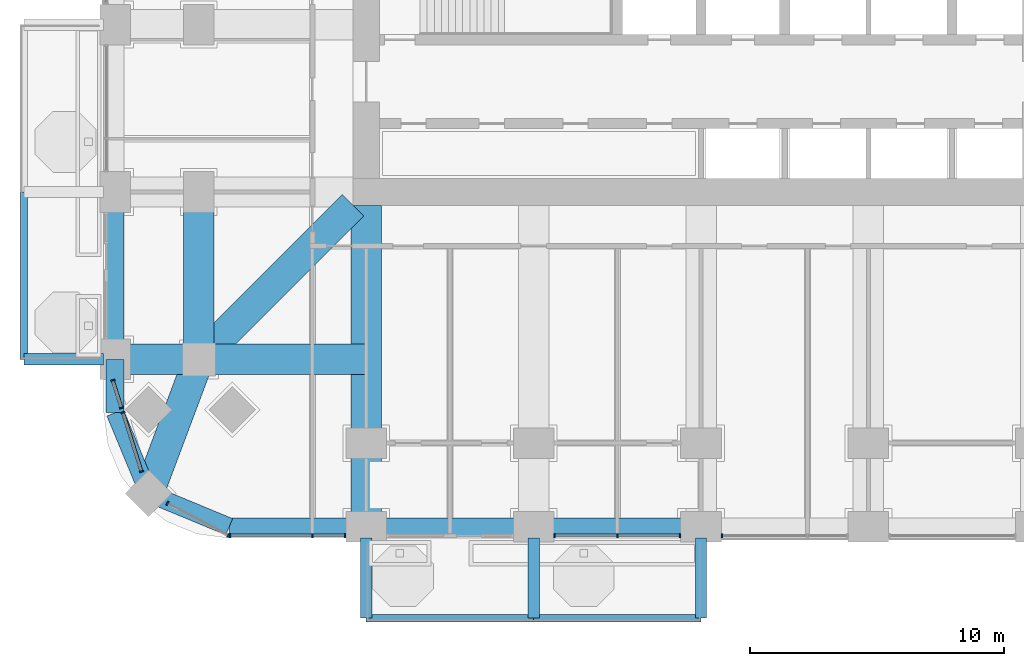
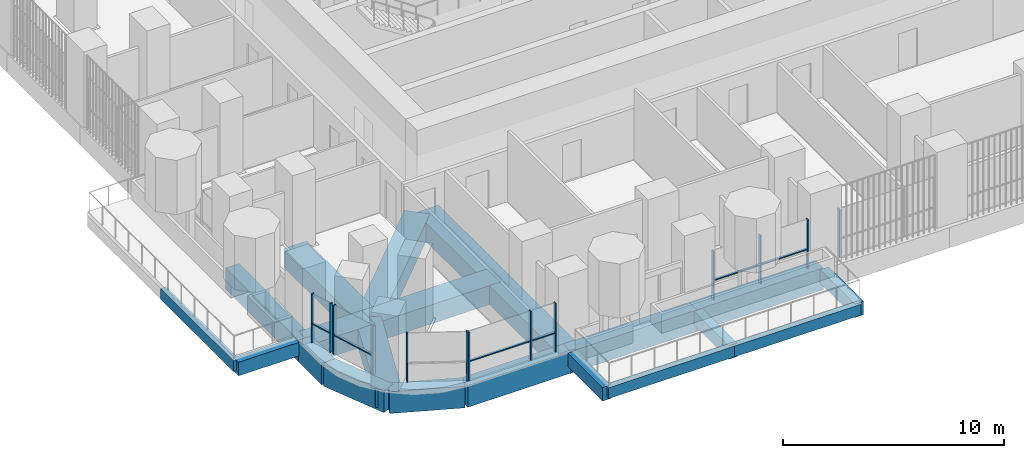
# One storey, part 2 of 21: 20 beams, 19 members, 6 elements without a shape of their own.
"""IFC4 building model written with IfcOpenShell, lengths in metres."""

from ifc_helpers import new_model, si_unit, direction, frame, origin, origin_2d, place, context, subcontext, project, spatial, rectangle, extrude, material, material_profile, profile_set, type_object, element, aggregate, save


model = new_model("IFC4")

# Units and contexts
model_context = context("Model", 3, precision=1e-05, world=origin(), true_north=direction((0.0, 1.0)))
body_context = subcontext(model_context, "Body", "Model", "MODEL_VIEW")
ifc_project = project(units=[si_unit("LENGTHUNIT", "METRE"), si_unit("AREAUNIT", "SQUARE_METRE"), si_unit("VOLUMEUNIT", "CUBIC_METRE"), si_unit("PLANEANGLEUNIT", "RADIAN"), si_unit("MASSUNIT", "GRAM", prefix="KILO")], contexts=[model_context])

# Site, building, storey
site_placement = place(None, origin())
site = spatial("IfcSite", under=ifc_project, at=site_placement, CompositionType="ELEMENT")
building_placement = place(site_placement, origin())
building = spatial("IfcBuilding", under=site, at=building_placement, Name="Cobogo Forest Laboratory Tower", CompositionType="ELEMENT")
storey_placement = place(building_placement, frame((0.0, 0.0, 99.0)))
storey = spatial("IfcBuildingStorey", under=building, at=storey_placement, Name="L22", CompositionType="ELEMENT", Elevation=99.0)

# Beams
ifc_material_1 = material(Name="Concrete HA-40 (C40/50)", Category="concrete")
ifc_material_profile_1 = material_profile(ifc_material_1, rectangle(XDim=0.449951171875, YDim=0.75, at=origin_2d()), Name="RC 450x750")
ifc_profile_set_1 = profile_set([ifc_material_profile_1], Name="Concrete HA-40 (C40/50)")
beam_type_1 = type_object("IfcBeamType", Name="Balcony cantilever beam 450x750", PredefinedType="BEAM", material=ifc_profile_set_1)
for number, where, z_axis, x_axis, name in (
    (1, (13.199951171875, -0.449951171875, -0.625), (0.0, -1.0, 0.0), (1.0, 0.0, 0.0), "CB1 BAL-S1-C1 L22"),
    (2, (19.800048828125, -0.449951171875, -0.625), (0.0, -1.0, 0.0), (1.0, 0.0, 0.0), "CB1 BAL-S1-C2 L22"),
    (3, (26.39990234375, -0.449951171875, -0.625), (0.0, -1.0, 0.0), (1.0, 0.0, 0.0), "CB1 BAL-S1-C3 L22"),
    (4, (2.85009765625, 6.60009765625, -0.625), (-1.0, 0.0, 0.0), (0.0, -1.0, 0.0), "CB1 BAL-W1-C1 L22"),
):
    element("IfcBeam", number, at=place(storey_placement, frame(where, z_axis=z_axis, x_axis=x_axis)), inside=storey, type_object=beam_type_1, Name=name, PredefinedType="BEAM", context=body_context, shape_type="SweptSolid", body=[
        extrude(rectangle(XDim=0.449951171875, YDim=0.75, at=origin_2d()), origin(), (0.0, 0.0, 1.0), 3.150146484375),
    ])
ifc_material_profile_2 = material_profile(ifc_material_1, rectangle(XDim=0.300048828125, YDim=0.60009765625, at=origin_2d()), Name="RC 300x600")
ifc_profile_set_2 = profile_set([ifc_material_profile_2], Name="Concrete HA-40 (C40/50)")
beam_type_2 = type_object("IfcBeamType", Name="Balcony edge beam 300x600", PredefinedType="BEAM", material=ifc_profile_set_2)
beam_1_placement = place(storey_placement, frame((13.199951171875, -3.60009765625, -0.550048828125), z_axis=(1.0, 0.0, 0.0), x_axis=(0.0, 1.0, 0.0)))
element("IfcBeam", 5, at=beam_1_placement, inside=storey, type_object=beam_type_2, Name="BB1 BAL-S1-T1 L22", PredefinedType="BEAM", context=body_context, shape_type="SweptSolid", body=[
    extrude(rectangle(XDim=0.300048828125, YDim=0.60009765625, at=origin_2d()), origin(), (0.0, 0.0, 1.0), 6.60009765625),
])
for number, where, z_axis, x_axis, name in (
    (6, (19.800048828125, -3.60009765625, -0.550048828125), (1.0, 0.0, 0.0), (0.0, 1.0, 0.0), "BB1 BAL-S1-T2 L22"),
    (7, (-0.300048828125, 6.60009765625, -0.550048828125), (0.0, 1.0, 0.0), (-1.0, 0.0, 0.0), "BB1 BAL-W1-T1 L22"),
):
    element("IfcBeam", number, at=place(storey_placement, frame(where, z_axis=z_axis, x_axis=x_axis)), inside=storey, type_object=beam_type_2, Name=name, PredefinedType="BEAM", context=body_context, shape_type="SweptSolid", body=[
        extrude(rectangle(XDim=0.300048828125, YDim=0.60009765625, at=origin_2d()), origin(), (0.0, 0.0, 1.0), 6.599853515625),
    ])
ifc_material_profile_3 = material_profile(ifc_material_1, rectangle(XDim=1.199951171875, YDim=1.050048828125, at=origin_2d()), Name="RC 1200x1050")
ifc_profile_set_3 = profile_set([ifc_material_profile_3], Name="Concrete HA-40 (C40/50)")
beam_type_3 = type_object("IfcBeamType", Name="Laboratory floor wide beam 1200x1050", PredefinedType="BEAM", material=ifc_profile_set_3)
beam_2_placement = place(storey_placement, frame((13.199951171875, 12.675048828125, -0.824951171875), z_axis=(0.0, -1.0, 0.0), x_axis=(1.0, 0.0, 0.0)))
element("IfcBeam", 8, at=beam_2_placement, inside=storey, type_object=beam_type_3, Name="RB1 R-3-S L22", PredefinedType="BEAM", context=body_context, shape_type="SweptSolid", body=[
    extrude(rectangle(XDim=1.199951171875, YDim=1.050048828125, at=origin_2d()), origin(), (0.0, 0.0, 1.0), 12.675048828125),
])
beam_3_placement = place(storey_placement, frame((6.60009765625, 6.60009765625, -0.824951171875), z_axis=(0.0, 1.0, 0.0), x_axis=(-1.0, 0.0, 0.0)))
element("IfcBeam", 9, at=beam_3_placement, inside=storey, type_object=beam_type_3, Name="RB1 G-SW-XC L22", PredefinedType="BEAM", context=body_context, shape_type="SweptSolid", body=[
    extrude(rectangle(XDim=1.199951171875, YDim=1.050048828125, at=origin_2d()), origin(), (0.0, 0.0, 1.0), 6.599853515625),
])
beam_4_placement = place(storey_placement, frame((3.300048828125, 6.60009765625, -0.824951171875), z_axis=(1.0, 0.0, 0.0), x_axis=(0.0, 1.0, 0.0)))
element("IfcBeam", 10, at=beam_4_placement, inside=storey, type_object=beam_type_3, Name="RB1 G-SW-YF L22", PredefinedType="BEAM", context=body_context, shape_type="SweptSolid", body=[
    extrude(rectangle(XDim=1.199951171875, YDim=1.050048828125, at=origin_2d()), origin(), (0.0, 0.0, 1.0), 3.300048828125),
])
beam_5_placement = place(storey_placement, frame((6.60009765625, 6.60009765625, -0.824951171875), z_axis=(1.0, 0.0, 0.0), x_axis=(0.0, 1.0, 0.0)))
element("IfcBeam", 11, at=beam_5_placement, inside=storey, type_object=beam_type_3, Name="RB1 G-SW-YC L22", PredefinedType="BEAM", context=body_context, shape_type="SweptSolid", body=[
    extrude(rectangle(XDim=1.199951171875, YDim=1.050048828125, at=origin_2d()), origin(), (0.0, 0.0, 1.0), 6.599853515625),
])
beam_6_placement = place(storey_placement, frame((4.617919921875, 1.318115234375, -0.824951171875), z_axis=(0.351346325373, 0.936245565889, 0.0), x_axis=(-0.936245565889, 0.351346325373, 0.0)))
element("IfcBeam", 12, at=beam_6_placement, inside=storey, type_object=beam_type_3, Name="RB1 G-SW-D1 L22", PredefinedType="BEAM", context=body_context, shape_type="SweptSolid", body=[
    extrude(rectangle(XDim=1.199951171875, YDim=1.050048828125, at=origin_2d()), origin(), (0.0, 0.0, 1.0), 5.6416015625),
])
beam_7_placement = place(storey_placement, frame((6.60009765625, 6.60009765625, -0.824951171875), z_axis=(0.707106781187, 0.707106781187, 0.0), x_axis=(-0.707106781187, 0.707106781187, 0.0)))
element("IfcBeam", 13, at=beam_7_placement, inside=storey, type_object=beam_type_3, Name="RB1 G-SW-D2 L22", PredefinedType="BEAM", context=body_context, shape_type="SweptSolid", body=[
    extrude(rectangle(XDim=1.199951171875, YDim=1.050048828125, at=origin_2d()), origin(), (0.0, 0.0, 1.0), 8.59130859375),
])

# Curtain wall, members
ifc_material_2 = material(Name="Aluminium curtain wall", Category="aluminium")
curtain_wall_type = type_object("IfcCurtainWallType", Name="CW-1 unitised curtain wall, clear glazing, laboratory floors zones A and B", PredefinedType="USERDEFINED", material=ifc_material_2)
curtain_wall_1_placement = place(storey_placement, origin())
curtain_wall_1 = element("IfcCurtainWall", 14, at=curtain_wall_1_placement, inside=storey, type_object=curtain_wall_type, Name="Curtain wall 01 L22", ObjectType="UNITISED CURTAIN WALL", PredefinedType="USERDEFINED")
ifc_material_3 = material(Name="Aluminium mullion", Category="aluminium")
ifc_material_profile_4 = material_profile(ifc_material_3, rectangle(XDim=0.06005859375, YDim=0.159912109375, at=origin_2d()), Name="AL 60x160")
ifc_profile_set_4 = profile_set([ifc_material_profile_4], Name="Aluminium mullion")
member_type_1 = type_object("IfcMemberType", Name="MU-1 aluminium mullion 60x160", PredefinedType="MULLION", material=ifc_profile_set_4)
member_1_placement = place(storey_placement, frame((7.830078125, -0.35009765625, 0.0), z_axis=(0.0, 0.0, 1.0), x_axis=(1.0, 0.0, 0.0)))
member_1 = element("IfcMember", 15, at=member_1_placement, type_object=member_type_1, Name="CW-1 mullion 1", PredefinedType="MULLION", context=body_context, shape_type="SweptSolid", body=[
    extrude(rectangle(XDim=0.06005859375, YDim=0.159912109375, at=origin_2d()), origin(), (0.0, 0.0, 1.0), 2.699951171875),
])
member_2_placement = place(storey_placement, frame((11.074951171875, -0.35009765625, 0.0), z_axis=(0.0, 0.0, 1.0), x_axis=(1.0, 0.0, 0.0)))
member_2 = element("IfcMember", 16, at=member_2_placement, type_object=member_type_1, Name="CW-1 mullion 2", PredefinedType="MULLION", context=body_context, shape_type="SweptSolid", body=[
    extrude(rectangle(XDim=0.06005859375, YDim=0.159912109375, at=origin_2d()), origin(), (0.0, 0.0, 1.0), 2.699951171875),
])
member_3_placement = place(storey_placement, frame((12.3701171875, -0.35009765625, 0.0), z_axis=(0.0, 0.0, 1.0), x_axis=(1.0, 0.0, 0.0)))
member_3 = element("IfcMember", 17, at=member_3_placement, type_object=member_type_1, Name="CW-1 mullion 3", PredefinedType="MULLION", context=body_context, shape_type="SweptSolid", body=[
    extrude(rectangle(XDim=0.06005859375, YDim=0.159912109375, at=origin_2d()), origin(), (0.0, 0.0, 1.0), 2.699951171875),
])

curtain_wall_2_placement = place(storey_placement, origin())
curtain_wall_2 = element("IfcCurtainWall", 18, at=curtain_wall_2_placement, inside=storey, type_object=curtain_wall_type, Name="Curtain wall 03 L22", ObjectType="UNITISED CURTAIN WALL", PredefinedType="USERDEFINED")
member_4_placement = place(storey_placement, frame((20.6298828125, -0.35009765625, 0.0), z_axis=(0.0, 0.0, 1.0), x_axis=(1.0, 0.0, 0.0)))
member_4 = element("IfcMember", 19, at=member_4_placement, type_object=member_type_1, Name="CW-1 mullion 1", PredefinedType="MULLION", context=body_context, shape_type="SweptSolid", body=[
    extrude(rectangle(XDim=0.06005859375, YDim=0.159912109375, at=origin_2d()), origin(), (0.0, 0.0, 1.0), 2.699951171875),
])
member_5_placement = place(storey_placement, frame((23.10009765625, -0.35009765625, 0.0), z_axis=(0.0, 0.0, 1.0), x_axis=(1.0, 0.0, 0.0)))
member_5 = element("IfcMember", 20, at=member_5_placement, type_object=member_type_1, Name="CW-1 mullion 2", PredefinedType="MULLION", context=body_context, shape_type="SweptSolid", body=[
    extrude(rectangle(XDim=0.06005859375, YDim=0.159912109375, at=origin_2d()), origin(), (0.0, 0.0, 1.0), 2.699951171875),
])
member_6_placement = place(storey_placement, frame((25.570068359375, -0.35009765625, 0.0), z_axis=(0.0, 0.0, 1.0), x_axis=(1.0, 0.0, 0.0)))
member_6 = element("IfcMember", 21, at=member_6_placement, type_object=member_type_1, Name="CW-1 mullion 3", PredefinedType="MULLION", context=body_context, shape_type="SweptSolid", body=[
    extrude(rectangle(XDim=0.06005859375, YDim=0.159912109375, at=origin_2d()), origin(), (0.0, 0.0, 1.0), 2.699951171875),
])

# Curtain wall, member
curtain_wall_3_placement = place(storey_placement, origin())
curtain_wall_3 = element("IfcCurtainWall", 22, at=curtain_wall_3_placement, inside=storey, type_object=curtain_wall_type, Name="Curtain wall 04 L22", ObjectType="UNITISED CURTAIN WALL", PredefinedType="USERDEFINED")
member_7_placement = place(storey_placement, frame((27.22998046875, -0.35009765625, 0.0), z_axis=(0.0, 0.0, 1.0), x_axis=(1.0, 0.0, 0.0)))
member_7 = element("IfcMember", 23, at=member_7_placement, type_object=member_type_1, Name="CW-1 mullion 1", PredefinedType="MULLION", context=body_context, shape_type="SweptSolid", body=[
    extrude(rectangle(XDim=0.06005859375, YDim=0.159912109375, at=origin_2d()), origin(), (0.0, 0.0, 1.0), 2.699951171875),
])
aggregate(curtain_wall_3, [member_7])

# Curtain wall, members
curtain_wall_4_placement = place(storey_placement, origin())
curtain_wall_4 = element("IfcCurtainWall", 24, at=curtain_wall_4_placement, inside=storey, type_object=curtain_wall_type, Name="Curtain wall 32 L22", ObjectType="UNITISED CURTAIN WALL", PredefinedType="USERDEFINED")
member_8_placement = place(storey_placement, frame((3.211669921875, 5.771484375, 0.0), z_axis=(0.0, 0.0, 1.0), x_axis=(0.301135667865, -0.953581307252, 0.0)))
member_8 = element("IfcMember", 25, at=member_8_placement, type_object=member_type_1, Name="CW-1 mullion 1", PredefinedType="MULLION", context=body_context, shape_type="SweptSolid", body=[
    extrude(rectangle(XDim=0.06005859375, YDim=0.159912109375, at=origin_2d()), origin(), (0.0, 0.0, 1.0), 2.699951171875),
])
member_9_placement = place(storey_placement, frame((3.55224609375, 4.69287109375, 0.0), z_axis=(0.0, 0.0, 1.0), x_axis=(0.301135667865, -0.953581307252, 0.0)))
member_9 = element("IfcMember", 26, at=member_9_placement, type_object=member_type_1, Name="CW-1 mullion 2", PredefinedType="MULLION", context=body_context, shape_type="SweptSolid", body=[
    extrude(rectangle(XDim=0.06005859375, YDim=0.159912109375, at=origin_2d()), origin(), (0.0, 0.0, 1.0), 2.699951171875),
])

curtain_wall_5_placement = place(storey_placement, origin())
curtain_wall_5 = element("IfcCurtainWall", 27, at=curtain_wall_5_placement, inside=storey, type_object=curtain_wall_type, Name="Curtain wall 33 L22", ObjectType="UNITISED CURTAIN WALL", PredefinedType="USERDEFINED")
member_10_placement = place(storey_placement, frame((3.613037109375, 4.500244140625, 0.0), z_axis=(0.0, 0.0, 1.0), x_axis=(0.301135291996, -0.953581425949, 0.0)))
member_10 = element("IfcMember", 28, at=member_10_placement, type_object=member_type_1, Name="CW-1 mullion 1", PredefinedType="MULLION", context=body_context, shape_type="SweptSolid", body=[
    extrude(rectangle(XDim=0.06005859375, YDim=0.159912109375, at=origin_2d()), origin(), (0.0, 0.0, 1.0), 2.699951171875),
])
member_11_placement = place(storey_placement, frame((4.34423828125, 2.18505859375, 0.0), z_axis=(0.0, 0.0, 1.0), x_axis=(0.301135291996, -0.953581425949, 0.0)))
member_11 = element("IfcMember", 29, at=member_11_placement, type_object=member_type_1, Name="CW-1 mullion 2", PredefinedType="MULLION", context=body_context, shape_type="SweptSolid", body=[
    extrude(rectangle(XDim=0.06005859375, YDim=0.159912109375, at=origin_2d()), origin(), (0.0, 0.0, 1.0), 2.699951171875),
])

curtain_wall_6_placement = place(storey_placement, origin())
curtain_wall_6 = element("IfcCurtainWall", 30, at=curtain_wall_6_placement, inside=storey, type_object=curtain_wall_type, Name="Curtain wall 34 L22", ObjectType="UNITISED CURTAIN WALL", PredefinedType="USERDEFINED")
member_12_placement = place(storey_placement, frame((5.368408203125, 0.9248046875, 0.0), z_axis=(0.0, 0.0, 1.0), x_axis=(0.885686547075, -0.464283685186, 0.0)))
member_12 = element("IfcMember", 31, at=member_12_placement, type_object=member_type_1, Name="CW-1 mullion 1", PredefinedType="MULLION", context=body_context, shape_type="SweptSolid", body=[
    extrude(rectangle(XDim=0.06005859375, YDim=0.159912109375, at=origin_2d()), origin(), (0.0, 0.0, 1.0), 2.699951171875),
])
member_13_placement = place(storey_placement, frame((7.7734375, -0.336181640625, 0.0), z_axis=(0.0, 0.0, 1.0), x_axis=(0.885686547075, -0.464283685186, 0.0)))
member_13 = element("IfcMember", 32, at=member_13_placement, type_object=member_type_1, Name="CW-1 mullion 2", PredefinedType="MULLION", context=body_context, shape_type="SweptSolid", body=[
    extrude(rectangle(XDim=0.06005859375, YDim=0.159912109375, at=origin_2d()), origin(), (0.0, 0.0, 1.0), 2.699951171875),
])
aggregate(curtain_wall_6, [member_12, member_13])

# Beams
ifc_material_profile_5 = material_profile(ifc_material_1, rectangle(XDim=0.699951171875, YDim=1.199951171875, at=origin_2d()), Name="RC 700x1200")
ifc_profile_set_5 = profile_set([ifc_material_profile_5], Name="Concrete HA-40 (C40/50)")
beam_type_4 = type_object("IfcBeamType", Name="Perimeter edge beam 700x1200", PredefinedType="BEAM", material=ifc_profile_set_5)
beam_8_placement = place(storey_placement, frame((13.199951171875, 0.0, -0.89990234375), z_axis=(1.0, 0.0, 0.0), x_axis=(0.0, 1.0, 0.0)))
element("IfcBeam", 33, at=beam_8_placement, inside=storey, type_object=beam_type_4, Name="EB1 E-S1 L22", PredefinedType="BEAM", context=body_context, shape_type="SweptSolid", body=[
    extrude(rectangle(XDim=0.699951171875, YDim=1.199951171875, at=origin_2d()), origin(), (0.0, 0.0, 1.0), 6.60009765625),
])
for number, where, z_axis, x_axis, name in (
    (34, (19.800048828125, 0.0, -0.89990234375), (1.0, 0.0, 0.0), (0.0, 1.0, 0.0), "EB1 E-S2 L22"),
    (35, (3.300048828125, 6.60009765625, -0.89990234375), (0.0, 1.0, 0.0), (-1.0, 0.0, 0.0), "EB1 E-W1 L22"),
):
    element("IfcBeam", number, at=place(storey_placement, frame(where, z_axis=z_axis, x_axis=x_axis)), inside=storey, type_object=beam_type_4, Name=name, PredefinedType="BEAM", context=body_context, shape_type="SweptSolid", body=[
        extrude(rectangle(XDim=0.699951171875, YDim=1.199951171875, at=origin_2d()), origin(), (0.0, 0.0, 1.0), 6.599853515625),
    ])
beam_9_placement = place(storey_placement, frame((13.199951171875, 0.0, -0.89990234375), z_axis=(-1.0, 0.0, 0.0), x_axis=(0.0, -1.0, 0.0)))
element("IfcBeam", 36, at=beam_9_placement, inside=storey, type_object=beam_type_4, Name="EB1 E-SWS1 L22", PredefinedType="BEAM", context=body_context, shape_type="SweptSolid", body=[
    extrude(rectangle(XDim=0.699951171875, YDim=1.199951171875, at=origin_2d()), origin(), (0.0, 0.0, 1.0), 5.39990234375),
])
beam_10_placement = place(storey_placement, frame((7.800048828125, 0.0, -0.89990234375), z_axis=(-0.923876013265, 0.382691928466, 0.0), x_axis=(-0.382691928466, -0.923876013265, 0.0)))
element("IfcBeam", 37, at=beam_10_placement, inside=storey, type_object=beam_type_4, Name="EB1 E-SWS2 L22", PredefinedType="BEAM", context=body_context, shape_type="SweptSolid", body=[
    extrude(rectangle(XDim=0.699951171875, YDim=1.199951171875, at=origin_2d()), origin(), (0.0, 0.0, 1.0), 3.4443359375),
])
beam_11_placement = place(storey_placement, frame((3.300048828125, 6.60009765625, -0.89990234375), z_axis=(0.0, -1.0, 0.0), x_axis=(1.0, 0.0, 0.0)))
element("IfcBeam", 38, at=beam_11_placement, inside=storey, type_object=beam_type_4, Name="EB1 E-SWW1 L22", PredefinedType="BEAM", context=body_context, shape_type="SweptSolid", body=[
    extrude(rectangle(XDim=0.699951171875, YDim=1.199951171875, at=origin_2d()), origin(), (0.0, 0.0, 1.0), 2.10009765625),
])
beam_12_placement = place(storey_placement, frame((3.300048828125, 4.5, -0.89990234375), z_axis=(0.382656484822, -0.923890694089, 0.0), x_axis=(0.923890694089, 0.382656484822, 0.0)))
element("IfcBeam", 39, at=beam_12_placement, inside=storey, type_object=beam_type_4, Name="EB1 E-SWW2 L22", PredefinedType="BEAM", context=body_context, shape_type="SweptSolid", body=[
    extrude(rectangle(XDim=0.699951171875, YDim=1.199951171875, at=origin_2d()), origin(), (0.0, 0.0, 1.0), 3.444091796875),
])

# Member
ifc_material_4 = material(Name="Aluminium transom", Category="aluminium")
ifc_material_profile_6 = material_profile(ifc_material_4, rectangle(XDim=0.1201171875, YDim=0.06005859375, at=origin_2d()), Name="AL 60x120")
ifc_profile_set_6 = profile_set([ifc_material_profile_6], Name="Aluminium transom")
member_type_2 = type_object("IfcMemberType", Name="TR-1 aluminium transom 60x120", PredefinedType="USERDEFINED", material=ifc_profile_set_6)
member_14_placement = place(storey_placement, frame((7.860107421875, -0.35009765625, 1.050048828125), z_axis=(1.0, 0.0, 0.0), x_axis=(0.0, 1.0, 0.0)))
member_14 = element("IfcMember", 40, at=member_14_placement, type_object=member_type_2, Name="CW-1 transom 1.1", ObjectType="TRANSOM", PredefinedType="USERDEFINED", context=body_context, shape_type="SweptSolid", body=[
    extrude(rectangle(XDim=0.1201171875, YDim=0.06005859375, at=origin_2d()), origin(), (0.0, 0.0, 1.0), 3.184814453125),
])

member_15_placement = place(storey_placement, frame((11.10498046875, -0.35009765625, 1.050048828125), z_axis=(1.0, 0.0, 0.0), x_axis=(0.0, 1.0, 0.0)))
member_15 = element("IfcMember", 41, at=member_15_placement, type_object=member_type_2, Name="CW-1 transom 2.1", ObjectType="TRANSOM", PredefinedType="USERDEFINED", context=body_context, shape_type="SweptSolid", body=[
    extrude(rectangle(XDim=0.1201171875, YDim=0.06005859375, at=origin_2d()), origin(), (0.0, 0.0, 1.0), 1.235107421875),
])

aggregate(curtain_wall_1, [member_1, member_2, member_3, member_14, member_15])

member_16_placement = place(storey_placement, frame((20.659912109375, -0.35009765625, 1.050048828125), z_axis=(1.0, 0.0, 0.0), x_axis=(0.0, 1.0, 0.0)))
member_16 = element("IfcMember", 42, at=member_16_placement, type_object=member_type_2, Name="CW-1 transom 1.1", ObjectType="TRANSOM", PredefinedType="USERDEFINED", context=body_context, shape_type="SweptSolid", body=[
    extrude(rectangle(XDim=0.1201171875, YDim=0.06005859375, at=origin_2d()), origin(), (0.0, 0.0, 1.0), 2.41015625),
])

member_17_placement = place(storey_placement, frame((23.1298828125, -0.35009765625, 1.050048828125), z_axis=(1.0, 0.0, 0.0), x_axis=(0.0, 1.0, 0.0)))
member_17 = element("IfcMember", 43, at=member_17_placement, type_object=member_type_2, Name="CW-1 transom 2.1", ObjectType="TRANSOM", PredefinedType="USERDEFINED", context=body_context, shape_type="SweptSolid", body=[
    extrude(rectangle(XDim=0.1201171875, YDim=0.06005859375, at=origin_2d()), origin(), (0.0, 0.0, 1.0), 2.41015625),
])

aggregate(curtain_wall_2, [member_4, member_5, member_6, member_16, member_17])

member_18_placement = place(storey_placement, frame((3.220703125, 5.74267578125, 1.050048828125), z_axis=(0.301207754852, -0.953558539586, 0.0), x_axis=(0.953558539586, 0.301207754852, 0.0)))
member_18 = element("IfcMember", 44, at=member_18_placement, type_object=member_type_2, Name="CW-1 transom 1.1", ObjectType="TRANSOM", PredefinedType="USERDEFINED", context=body_context, shape_type="SweptSolid", body=[
    extrude(rectangle(XDim=0.1201171875, YDim=0.06005859375, at=origin_2d()), origin(), (0.0, 0.0, 1.0), 1.07080078125),
])

aggregate(curtain_wall_4, [member_8, member_9, member_18])

member_19_placement = place(storey_placement, frame((3.6220703125, 4.4716796875, 1.050048828125), z_axis=(0.301156039198, -0.953574873859, 0.0), x_axis=(0.953574873859, 0.301156039198, 0.0)))
member_19 = element("IfcMember", 45, at=member_19_placement, type_object=member_type_2, Name="CW-1 transom 1.1", ObjectType="TRANSOM", PredefinedType="USERDEFINED", context=body_context, shape_type="SweptSolid", body=[
    extrude(rectangle(XDim=0.1201171875, YDim=0.06005859375, at=origin_2d()), origin(), (0.0, 0.0, 1.0), 2.367919921875),
])

aggregate(curtain_wall_5, [member_10, member_11, member_19])

save(model, "model.ifc")
